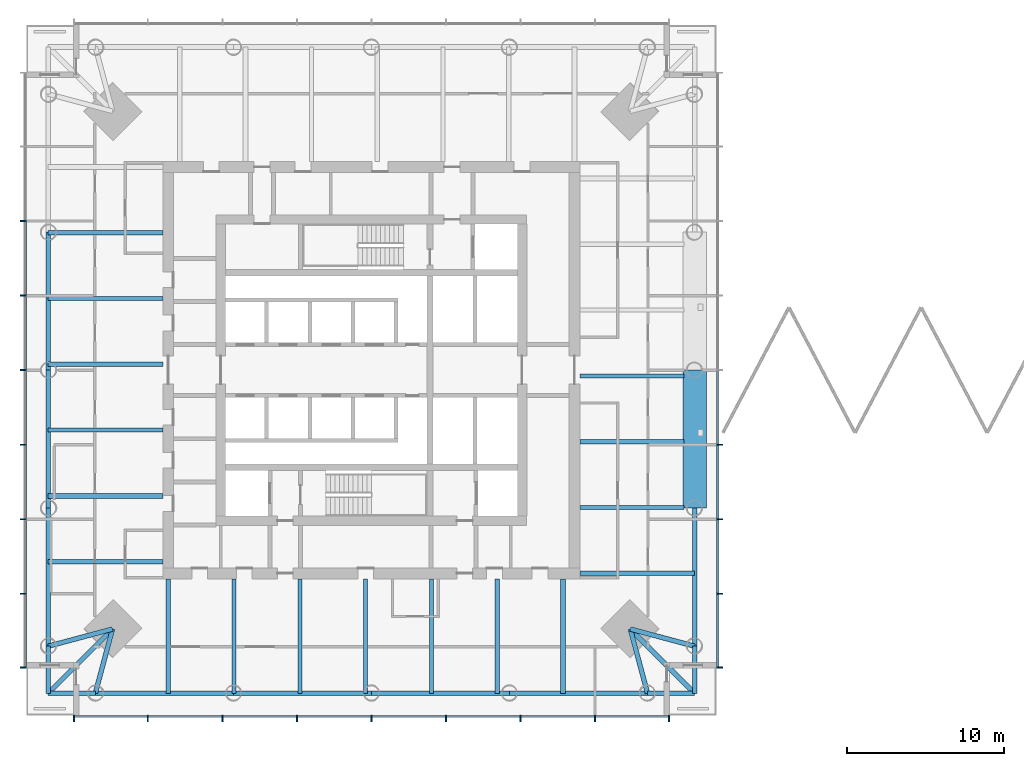
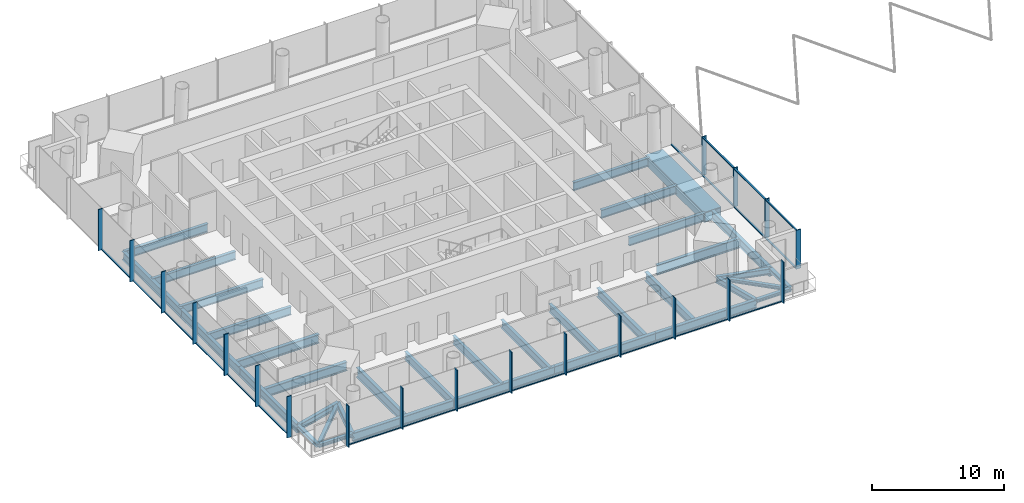
# One storey, part 2 of 19: 41 members, 36 beams, 3 elements without a shape of their own.
"""IFC4 building model written with IfcOpenShell, lengths in metres."""

from ifc_helpers import new_model, si_unit, direction, frame, origin, origin_2d, place, context, subcontext, project, spatial, rectangle, hollow_rectangle, i_section, extrude, material, material_profile, profile_set, type_object, element, aggregate, save


model = new_model("IFC4")

# Units and contexts
model_context = context("Model", 3, precision=1e-05, world=origin(), true_north=direction((0.0, 1.0)))
body_context = subcontext(model_context, "Body", "Model", "MODEL_VIEW")
ifc_project = project(units=[si_unit("LENGTHUNIT", "METRE"), si_unit("AREAUNIT", "SQUARE_METRE"), si_unit("VOLUMEUNIT", "CUBIC_METRE"), si_unit("PLANEANGLEUNIT", "RADIAN"), si_unit("MASSUNIT", "GRAM", prefix="KILO")], contexts=[model_context])

# Site, building, storey
site_placement = place(None, origin())
site = spatial("IfcSite", under=ifc_project, at=site_placement, CompositionType="ELEMENT")
building_placement = place(site_placement, origin())
building = spatial("IfcBuilding", under=site, at=building_placement, Name="Ostroluk Exchange", CompositionType="ELEMENT")
storey_placement = place(building_placement, frame((0.0, 0.0, 127.39990234375)))
storey = spatial("IfcBuildingStorey", under=building, at=storey_placement, Name="L32", CompositionType="ELEMENT", Elevation=127.39990234375)

# Beams
ifc_material_1 = material(Name="Steel S355", Category="steel")
ifc_material_profile_1 = material_profile(ifc_material_1, i_section(OverallWidth=0.300048828125, OverallDepth=0.300048828125, WebThickness=0.010986328125, FlangeThickness=0.01904296875, FilletRadius=0.027099609375, at=origin_2d()), Name="HEB 300")
ifc_profile_set_1 = profile_set([ifc_material_profile_1], Name="Steel S355")
beam_type_1 = type_object("IfcBeamType", Name="Balcony beam HEB 300", PredefinedType="BEAM", material=ifc_profile_set_1)
for number, where, z_axis, x_axis, name in (
    (1, (24.39990234375, 28.39990234375, -0.329833984375), (0.0, -1.0, 0.0), (1.0, 0.0, 0.0), "T1 west balcony beam a"),
    (2, (27.39990234375, 25.39990234375, -0.329833984375), (-1.0, 0.0, 0.0), (0.0, -1.0, 0.0), "T1 west balcony beam b"),
):
    element("IfcBeam", number, at=place(storey_placement, frame(where, z_axis=z_axis, x_axis=x_axis)), inside=storey, type_object=beam_type_1, Name=name, PredefinedType="BEAM", context=body_context, shape_type="SweptSolid", body=[
        extrude(i_section(OverallWidth=0.300048828125, OverallDepth=0.300048828125, WebThickness=0.010986328125, FlangeThickness=0.01904296875, FilletRadius=0.027099609375, at=origin_2d()), origin(), (0.0, 0.0, 1.0), 3.0),
    ])
beam_1_placement = place(storey_placement, frame((28.5, 29.5, -0.329833984375), z_axis=(-0.707106781187, -0.707106781187, 0.0), x_axis=(0.707106781187, -0.707106781187, 0.0)))
element("IfcBeam", 3, at=beam_1_placement, inside=storey, type_object=beam_type_1, Name="T1 west balcony beam c", PredefinedType="BEAM", context=body_context, shape_type="SweptSolid", body=[
    extrude(i_section(OverallWidth=0.300048828125, OverallDepth=0.300048828125, WebThickness=0.010986328125, FlangeThickness=0.01904296875, FilletRadius=0.027099609375, at=origin_2d()), origin(), (0.0, 0.0, 1.0), 5.79833984375),
])
for number, where, z_axis, x_axis, name in (
    (4, (62.60009765625, 25.39990234375, -0.329833984375), (1.0, 0.0, 0.0), (0.0, 1.0, 0.0), "T1 south balcony beam a"),
    (5, (65.60009765625, 28.39990234375, -0.329833984375), (0.0, -1.0, 0.0), (1.0, 0.0, 0.0), "T1 south balcony beam b"),
):
    element("IfcBeam", number, at=place(storey_placement, frame(where, z_axis=z_axis, x_axis=x_axis)), inside=storey, type_object=beam_type_1, Name=name, PredefinedType="BEAM", context=body_context, shape_type="SweptSolid", body=[
        extrude(i_section(OverallWidth=0.300048828125, OverallDepth=0.300048828125, WebThickness=0.010986328125, FlangeThickness=0.01904296875, FilletRadius=0.027099609375, at=origin_2d()), origin(), (0.0, 0.0, 1.0), 3.0),
    ])
beam_2_placement = place(storey_placement, frame((61.5, 29.5, -0.329833984375), z_axis=(0.707106781187, -0.707106781187, 0.0), x_axis=(0.707106781187, 0.707106781187, 0.0)))
element("IfcBeam", 6, at=beam_2_placement, inside=storey, type_object=beam_type_1, Name="T1 south balcony beam c", PredefinedType="BEAM", context=body_context, shape_type="SweptSolid", body=[
    extrude(i_section(OverallWidth=0.300048828125, OverallDepth=0.300048828125, WebThickness=0.010986328125, FlangeThickness=0.01904296875, FilletRadius=0.027099609375, at=origin_2d()), origin(), (0.0, 0.0, 1.0), 5.79833984375),
])
ifc_material_2 = material(Name="Steel S355", Category="steel")
ifc_material_profile_2 = material_profile(ifc_material_2, hollow_rectangle(XDim=1.5, YDim=0.949951171875, WallThickness=0.080078125, at=origin_2d()), Name="BOX 1500x950x80")
ifc_profile_set_2 = profile_set([ifc_material_profile_2], Name="Steel S355")
beam_type_2 = type_object("IfcBeamType", Name="Bridge landing beam BOX 1500x950x80", PredefinedType="BEAM", material=ifc_profile_set_2)
beam_3_placement = place(storey_placement, frame((65.60009765625, 37.199951171875, -0.65478515625), z_axis=(0.0, 1.0, 0.0), x_axis=(-1.0, 0.0, 0.0)))
element("IfcBeam", 7, at=beam_3_placement, inside=storey, type_object=beam_type_2, Name="BR2 landing beam west 1", PredefinedType="BEAM", context=body_context, shape_type="SweptSolid", body=[
    extrude(hollow_rectangle(XDim=1.5, YDim=0.949951171875, WallThickness=0.080078125, at=origin_2d()), origin(), (0.0, 0.0, 1.0), 8.800048828125),
])
ifc_material_3 = material(Name="Steel S355", Category="steel")
ifc_material_profile_3 = material_profile(ifc_material_3, i_section(OverallWidth=0.300048828125, OverallDepth=0.550048828125, WebThickness=0.014892578125, FlangeThickness=0.029052734375, FilletRadius=0.027099609375, at=origin_2d()), Name="HEB 550")
ifc_profile_set_3 = profile_set([ifc_material_profile_3], Name="Steel S355")
beam_type_3 = type_object("IfcBeamType", Name="Corner edge beam HEB 550", PredefinedType="SPANDREL", material=ifc_profile_set_3)
for number, where, z_axis, x_axis, name in (
    (8, (28.5, 29.5, -0.454833984375), (-0.965838624319, -0.259144268261, 0.0), (0.259144268261, -0.965838624319, 0.0), "T1 west corner edge beam a"),
    (9, (28.5, 29.5, -0.454833984375), (-0.259144268261, -0.965838624319, 0.0), (0.965838624319, -0.259144268261, 0.0), "T1 west corner edge beam b"),
    (10, (61.5, 29.5, -0.454833984375), (0.259144268261, -0.965838624319, 0.0), (0.965838624319, 0.259144268261, 0.0), "T1 south corner edge beam a"),
    (11, (61.5, 29.5, -0.454833984375), (0.965838624319, -0.259144268261, 0.0), (0.259144268261, 0.965838624319, 0.0), "T1 south corner edge beam b"),
):
    element("IfcBeam", number, at=place(storey_placement, frame(where, z_axis=z_axis, x_axis=x_axis)), inside=storey, type_object=beam_type_3, Name=name, PredefinedType="SPANDREL", context=body_context, shape_type="SweptSolid", body=[
        extrude(i_section(OverallWidth=0.300048828125, OverallDepth=0.550048828125, WebThickness=0.014892578125, FlangeThickness=0.029052734375, FilletRadius=0.027099609375, at=origin_2d()), origin(), (0.0, 0.0, 1.0), 4.2451171875),
    ])
ifc_material_4 = material(Name="Steel S355", Category="steel")
ifc_material_profile_4 = material_profile(ifc_material_4, i_section(OverallWidth=0.302978515625, OverallDepth=0.81396484375, WebThickness=0.02099609375, FlangeThickness=0.0400390625, FilletRadius=0.030029296875, at=origin_2d()), Name="HEM 800")
ifc_profile_set_4 = profile_set([ifc_material_profile_4], Name="Steel S355")
beam_type_4 = type_object("IfcBeamType", Name="Floor beam HEM 800", PredefinedType="BEAM", material=ifc_profile_set_4)
for number, where, z_axis, x_axis, name in (
    (12, (31.699951171875, 37.981201171875, -0.5869140625), (-1.0, 0.0, 0.0), (0.0, -1.0, 0.0), "T1 west floor beam 5"),
    (13, (31.699951171875, 33.78759765625, -0.5869140625), (-1.0, 0.0, 0.0), (0.0, -1.0, 0.0), "T1 west floor beam 6"),
    (14, (53.018798828125, 32.699951171875, -0.5869140625), (0.0, -1.0, 0.0), (1.0, 0.0, 0.0), "T1 south floor beam 5"),
    (15, (57.21240234375, 32.699951171875, -0.5869140625), (0.0, -1.0, 0.0), (1.0, 0.0, 0.0), "T1 south floor beam 6"),
):
    element("IfcBeam", number, at=place(storey_placement, frame(where, z_axis=z_axis, x_axis=x_axis)), inside=storey, type_object=beam_type_4, Name=name, PredefinedType="BEAM", context=body_context, shape_type="SweptSolid", body=[
        extrude(i_section(OverallWidth=0.302978515625, OverallDepth=0.81396484375, WebThickness=0.02099609375, FlangeThickness=0.0400390625, FilletRadius=0.030029296875, at=origin_2d()), origin(), (0.0, 0.0, 1.0), 7.300048828125),
    ])
ifc_material_5 = material(Name="Steel S355", Category="steel")
ifc_material_profile_5 = material_profile(ifc_material_5, i_section(OverallWidth=0.26708984375, OverallDepth=0.761962890625, WebThickness=0.014404296875, FlangeThickness=0.021484375, FilletRadius=0.01708984375, at=origin_2d()), Name="IPE 750x173")
ifc_profile_set_5 = profile_set([ifc_material_profile_5], Name="Steel S355")
beam_type_5 = type_object("IfcBeamType", Name="Floor beam IPE 750x173", PredefinedType="BEAM", material=ifc_profile_set_5)
for number, where, z_axis, x_axis, name in (
    (16, (58.300048828125, 37.24365234375, -0.560791015625), (1.0, 0.0, 0.0), (0.0, 1.0, 0.0), "T1 east floor beam 1"),
    (17, (58.300048828125, 41.4375, -0.560791015625), (1.0, 0.0, 0.0), (0.0, 1.0, 0.0), "T1 east floor beam 2"),
    (18, (58.300048828125, 45.63134765625, -0.560791015625), (1.0, 0.0, 0.0), (0.0, 1.0, 0.0), "T1 east floor beam 3"),
):
    element("IfcBeam", number, at=place(storey_placement, frame(where, z_axis=z_axis, x_axis=x_axis)), inside=storey, type_object=beam_type_5, Name=name, PredefinedType="BEAM", context=body_context, shape_type="SweptSolid", body=[
        extrude(i_section(OverallWidth=0.26708984375, OverallDepth=0.761962890625, WebThickness=0.014404296875, FlangeThickness=0.021484375, FilletRadius=0.01708984375, at=origin_2d()), origin(), (0.0, 0.0, 1.0), 6.6298828125),
    ])
for number, where, z_axis, x_axis, name in (
    (19, (31.699951171875, 54.75634765625, -0.560791015625), (-1.0, 0.0, 0.0), (0.0, -1.0, 0.0), "T1 west floor beam 1"),
    (20, (31.699951171875, 50.5625, -0.560791015625), (-1.0, 0.0, 0.0), (0.0, -1.0, 0.0), "T1 west floor beam 2"),
    (21, (31.699951171875, 46.36865234375, -0.560791015625), (-1.0, 0.0, 0.0), (0.0, -1.0, 0.0), "T1 west floor beam 3"),
    (22, (31.699951171875, 42.175048828125, -0.560791015625), (-1.0, 0.0, 0.0), (0.0, -1.0, 0.0), "T1 west floor beam 4"),
    (23, (36.24365234375, 32.699951171875, -0.560791015625), (0.0, -1.0, 0.0), (1.0, 0.0, 0.0), "T1 south floor beam 1"),
    (24, (40.4375, 32.699951171875, -0.560791015625), (0.0, -1.0, 0.0), (1.0, 0.0, 0.0), "T1 south floor beam 2"),
    (25, (44.63134765625, 32.699951171875, -0.560791015625), (0.0, -1.0, 0.0), (1.0, 0.0, 0.0), "T1 south floor beam 3"),
    (26, (48.824951171875, 32.699951171875, -0.560791015625), (0.0, -1.0, 0.0), (1.0, 0.0, 0.0), "T1 south floor beam 4"),
):
    element("IfcBeam", number, at=place(storey_placement, frame(where, z_axis=z_axis, x_axis=x_axis)), inside=storey, type_object=beam_type_5, Name=name, PredefinedType="BEAM", context=body_context, shape_type="SweptSolid", body=[
        extrude(i_section(OverallWidth=0.26708984375, OverallDepth=0.761962890625, WebThickness=0.014404296875, FlangeThickness=0.021484375, FilletRadius=0.01708984375, at=origin_2d()), origin(), (0.0, 0.0, 1.0), 7.300048828125),
    ])
ifc_material_6 = material(Name="Steel S355", Category="steel")
ifc_material_profile_6 = material_profile(ifc_material_6, i_section(OverallWidth=0.300048828125, OverallDepth=0.89990234375, WebThickness=0.0185546875, FlangeThickness=0.034912109375, FilletRadius=0.030029296875, at=origin_2d()), Name="HEB 900")
ifc_profile_set_6 = profile_set([ifc_material_profile_6], Name="Steel S355")
beam_type_6 = type_object("IfcBeamType", Name="Girder HEB 900", PredefinedType="BEAM", material=ifc_profile_set_6)
for number, where, z_axis, x_axis, name in (
    (27, (32.050048828125, 32.699951171875, -0.6298828125), (0.0, -1.0, 0.0), (1.0, 0.0, 0.0), "T1 west girder"),
    (28, (58.300048828125, 33.050048828125, -0.6298828125), (1.0, 0.0, 0.0), (0.0, 1.0, 0.0), "T1 south girder"),
):
    element("IfcBeam", number, at=place(storey_placement, frame(where, z_axis=z_axis, x_axis=x_axis)), inside=storey, type_object=beam_type_6, Name=name, PredefinedType="BEAM", context=body_context, shape_type="SweptSolid", body=[
        extrude(i_section(OverallWidth=0.300048828125, OverallDepth=0.89990234375, WebThickness=0.0185546875, FlangeThickness=0.034912109375, FilletRadius=0.030029296875, at=origin_2d()), origin(), (0.0, 0.0, 1.0), 7.300048828125),
    ])
ifc_material_7 = material(Name="Steel S355", Category="steel")
ifc_material_profile_7 = material_profile(ifc_material_7, i_section(OverallWidth=0.300048828125, OverallDepth=0.800048828125, WebThickness=0.017578125, FlangeThickness=0.032958984375, FilletRadius=0.030029296875, at=origin_2d()), Name="HEB 800")
ifc_profile_set_7 = profile_set([ifc_material_profile_7], Name="Steel S355")
beam_type_7 = type_object("IfcBeamType", Name="Moment-connected edge beam HEB 800", PredefinedType="SPANDREL", material=ifc_profile_set_7)
for number, where, z_axis, x_axis, name in (
    (29, (65.60009765625, 28.39990234375, -0.579833984375), (0.0, 1.0, 0.0), (-1.0, 0.0, 0.0), "T1 east edge beam 1"),
    (30, (24.39990234375, 54.800048828125, -0.579833984375), (0.0, -1.0, 0.0), (1.0, 0.0, 0.0), "T1 west edge beam 2"),
    (31, (24.39990234375, 46.0, -0.579833984375), (0.0, -1.0, 0.0), (1.0, 0.0, 0.0), "T1 west edge beam 3"),
    (32, (24.39990234375, 37.199951171875, -0.579833984375), (0.0, -1.0, 0.0), (1.0, 0.0, 0.0), "T1 west edge beam 4"),
    (33, (27.39990234375, 25.39990234375, -0.579833984375), (1.0, 0.0, 0.0), (0.0, 1.0, 0.0), "T1 south edge beam 1"),
    (34, (36.199951171875, 25.39990234375, -0.579833984375), (1.0, 0.0, 0.0), (0.0, 1.0, 0.0), "T1 south edge beam 2"),
    (35, (45.0, 25.39990234375, -0.579833984375), (1.0, 0.0, 0.0), (0.0, 1.0, 0.0), "T1 south edge beam 3"),
    (36, (53.800048828125, 25.39990234375, -0.579833984375), (1.0, 0.0, 0.0), (0.0, 1.0, 0.0), "T1 south edge beam 4"),
):
    element("IfcBeam", number, at=place(storey_placement, frame(where, z_axis=z_axis, x_axis=x_axis)), inside=storey, type_object=beam_type_7, Name=name, PredefinedType="SPANDREL", context=body_context, shape_type="SweptSolid", body=[
        extrude(i_section(OverallWidth=0.300048828125, OverallDepth=0.800048828125, WebThickness=0.017578125, FlangeThickness=0.032958984375, FilletRadius=0.030029296875, at=origin_2d()), origin(), (0.0, 0.0, 1.0), 8.800048828125),
    ])

# Curtain wall, members
ifc_material_8 = material(Name="Laminated clear glass", Category="glass")
curtain_wall_type = type_object("IfcCurtainWallType", Name="Office tower facade", PredefinedType="USERDEFINED", material=ifc_material_8)
curtain_wall_1_placement = place(storey_placement, origin())
curtain_wall_1 = element("IfcCurtainWall", 37, at=curtain_wall_1_placement, inside=storey, type_object=curtain_wall_type, Name="Office tower south facade L32", ObjectType="UNITISED CURTAIN WALL", PredefinedType="USERDEFINED")
ifc_material_9 = material(Name="Aluminium mullion", Category="aluminium")
ifc_material_profile_8 = material_profile(ifc_material_9, rectangle(XDim=0.14990234375, YDim=0.080078125, at=origin_2d()), Name="Sill transom 80 x 150")
ifc_profile_set_8 = profile_set([ifc_material_profile_8], Name="Aluminium mullion")
member_type_1 = type_object("IfcMemberType", Name="Sill transom 80 x 150", PredefinedType="USERDEFINED", material=ifc_profile_set_8)
member_1_placement = place(storey_placement, frame((26.080078125, 23.925048828125, 0.0400390625), z_axis=(1.0, 0.0, 0.0), x_axis=(0.0, 1.0, 0.0)))
member_1 = element("IfcMember", 38, at=member_1_placement, type_object=member_type_1, Name="CW-O1 transom 1.1", ObjectType="TRANSOM", PredefinedType="USERDEFINED", context=body_context, shape_type="SweptSolid", body=[
    extrude(rectangle(XDim=0.14990234375, YDim=0.080078125, at=origin_2d()), origin(), (0.0, 0.0, 1.0), 4.6298828125),
])
member_2_placement = place(storey_placement, frame((30.7900390625, 23.925048828125, 0.0400390625), z_axis=(1.0, 0.0, 0.0), x_axis=(0.0, 1.0, 0.0)))
member_2 = element("IfcMember", 39, at=member_2_placement, type_object=member_type_1, Name="CW-O1 transom 2.1", ObjectType="TRANSOM", PredefinedType="USERDEFINED", context=body_context, shape_type="SweptSolid", body=[
    extrude(rectangle(XDim=0.14990234375, YDim=0.080078125, at=origin_2d()), origin(), (0.0, 0.0, 1.0), 4.669921875),
])
member_3_placement = place(storey_placement, frame((35.5400390625, 23.925048828125, 0.0400390625), z_axis=(1.0, 0.0, 0.0), x_axis=(0.0, 1.0, 0.0)))
member_3 = element("IfcMember", 40, at=member_3_placement, type_object=member_type_1, Name="CW-O1 transom 3.1", ObjectType="TRANSOM", PredefinedType="USERDEFINED", context=body_context, shape_type="SweptSolid", body=[
    extrude(rectangle(XDim=0.14990234375, YDim=0.080078125, at=origin_2d()), origin(), (0.0, 0.0, 1.0), 4.669921875),
])
member_4_placement = place(storey_placement, frame((40.2900390625, 23.925048828125, 0.0400390625), z_axis=(1.0, 0.0, 0.0), x_axis=(0.0, 1.0, 0.0)))
member_4 = element("IfcMember", 41, at=member_4_placement, type_object=member_type_1, Name="CW-O1 transom 4.1", ObjectType="TRANSOM", PredefinedType="USERDEFINED", context=body_context, shape_type="SweptSolid", body=[
    extrude(rectangle(XDim=0.14990234375, YDim=0.080078125, at=origin_2d()), origin(), (0.0, 0.0, 1.0), 4.669921875),
])
member_5_placement = place(storey_placement, frame((45.0400390625, 23.925048828125, 0.0400390625), z_axis=(1.0, 0.0, 0.0), x_axis=(0.0, 1.0, 0.0)))
member_5 = element("IfcMember", 42, at=member_5_placement, type_object=member_type_1, Name="CW-O1 transom 5.1", ObjectType="TRANSOM", PredefinedType="USERDEFINED", context=body_context, shape_type="SweptSolid", body=[
    extrude(rectangle(XDim=0.14990234375, YDim=0.080078125, at=origin_2d()), origin(), (0.0, 0.0, 1.0), 4.669921875),
])
member_6_placement = place(storey_placement, frame((49.7900390625, 23.925048828125, 0.0400390625), z_axis=(1.0, 0.0, 0.0), x_axis=(0.0, 1.0, 0.0)))
member_6 = element("IfcMember", 43, at=member_6_placement, type_object=member_type_1, Name="CW-O1 transom 6.1", ObjectType="TRANSOM", PredefinedType="USERDEFINED", context=body_context, shape_type="SweptSolid", body=[
    extrude(rectangle(XDim=0.14990234375, YDim=0.080078125, at=origin_2d()), origin(), (0.0, 0.0, 1.0), 4.669921875),
])
member_7_placement = place(storey_placement, frame((54.5400390625, 23.925048828125, 0.0400390625), z_axis=(1.0, 0.0, 0.0), x_axis=(0.0, 1.0, 0.0)))
member_7 = element("IfcMember", 44, at=member_7_placement, type_object=member_type_1, Name="CW-O1 transom 7.1", ObjectType="TRANSOM", PredefinedType="USERDEFINED", context=body_context, shape_type="SweptSolid", body=[
    extrude(rectangle(XDim=0.14990234375, YDim=0.080078125, at=origin_2d()), origin(), (0.0, 0.0, 1.0), 4.669921875),
])
member_8_placement = place(storey_placement, frame((59.2900390625, 23.925048828125, 0.0400390625), z_axis=(1.0, 0.0, 0.0), x_axis=(0.0, 1.0, 0.0)))
member_8 = element("IfcMember", 45, at=member_8_placement, type_object=member_type_1, Name="CW-O1 transom 8.1", ObjectType="TRANSOM", PredefinedType="USERDEFINED", context=body_context, shape_type="SweptSolid", body=[
    extrude(rectangle(XDim=0.14990234375, YDim=0.080078125, at=origin_2d()), origin(), (0.0, 0.0, 1.0), 4.6298828125),
])

curtain_wall_2_placement = place(storey_placement, origin())
curtain_wall_2 = element("IfcCurtainWall", 46, at=curtain_wall_2_placement, inside=storey, type_object=curtain_wall_type, Name="Office tower east facade L32", ObjectType="UNITISED CURTAIN WALL", PredefinedType="USERDEFINED")
member_9_placement = place(storey_placement, frame((67.074951171875, 27.080078125, 0.0400390625), z_axis=(0.0, 1.0, 0.0), x_axis=(-1.0, 0.0, 0.0)))
member_9 = element("IfcMember", 47, at=member_9_placement, type_object=member_type_1, Name="CW-O1 transom 1.1", ObjectType="TRANSOM", PredefinedType="USERDEFINED", context=body_context, shape_type="SweptSolid", body=[
    extrude(rectangle(XDim=0.14990234375, YDim=0.080078125, at=origin_2d()), origin(), (0.0, 0.0, 1.0), 4.6298828125),
])
member_10_placement = place(storey_placement, frame((67.074951171875, 27.080078125, 3.56005859375), z_axis=(0.0, 1.0, 0.0), x_axis=(-1.0, 0.0, 0.0)))
member_10 = element("IfcMember", 48, at=member_10_placement, type_object=member_type_1, Name="CW-O1 transom 1.2", ObjectType="TRANSOM", PredefinedType="USERDEFINED", context=body_context, shape_type="SweptSolid", body=[
    extrude(rectangle(XDim=0.14990234375, YDim=0.080078125, at=origin_2d()), origin(), (0.0, 0.0, 1.0), 4.6298828125),
])
member_11_placement = place(storey_placement, frame((67.074951171875, 31.7900390625, 0.0400390625), z_axis=(0.0, 1.0, 0.0), x_axis=(-1.0, 0.0, 0.0)))
member_11 = element("IfcMember", 49, at=member_11_placement, type_object=member_type_1, Name="CW-O1 transom 2.1", ObjectType="TRANSOM", PredefinedType="USERDEFINED", context=body_context, shape_type="SweptSolid", body=[
    extrude(rectangle(XDim=0.14990234375, YDim=0.080078125, at=origin_2d()), origin(), (0.0, 0.0, 1.0), 4.669921875),
])
member_12_placement = place(storey_placement, frame((67.074951171875, 31.7900390625, 3.56005859375), z_axis=(0.0, 1.0, 0.0), x_axis=(-1.0, 0.0, 0.0)))
member_12 = element("IfcMember", 50, at=member_12_placement, type_object=member_type_1, Name="CW-O1 transom 2.2", ObjectType="TRANSOM", PredefinedType="USERDEFINED", context=body_context, shape_type="SweptSolid", body=[
    extrude(rectangle(XDim=0.14990234375, YDim=0.080078125, at=origin_2d()), origin(), (0.0, 0.0, 1.0), 4.669921875),
])
member_13_placement = place(storey_placement, frame((67.074951171875, 36.5400390625, 0.0400390625), z_axis=(0.0, 1.0, 0.0), x_axis=(-1.0, 0.0, 0.0)))
member_13 = element("IfcMember", 51, at=member_13_placement, type_object=member_type_1, Name="CW-O1 transom 3.1", ObjectType="TRANSOM", PredefinedType="USERDEFINED", context=body_context, shape_type="SweptSolid", body=[
    extrude(rectangle(XDim=0.14990234375, YDim=0.080078125, at=origin_2d()), origin(), (0.0, 0.0, 1.0), 4.669921875),
])
member_14_placement = place(storey_placement, frame((67.074951171875, 36.5400390625, 3.56005859375), z_axis=(0.0, 1.0, 0.0), x_axis=(-1.0, 0.0, 0.0)))
member_14 = element("IfcMember", 52, at=member_14_placement, type_object=member_type_1, Name="CW-O1 transom 3.2", ObjectType="TRANSOM", PredefinedType="USERDEFINED", context=body_context, shape_type="SweptSolid", body=[
    extrude(rectangle(XDim=0.14990234375, YDim=0.080078125, at=origin_2d()), origin(), (0.0, 0.0, 1.0), 4.669921875),
])
member_15_placement = place(storey_placement, frame((67.074951171875, 41.2900390625, 0.0400390625), z_axis=(0.0, 1.0, 0.0), x_axis=(-1.0, 0.0, 0.0)))
member_15 = element("IfcMember", 53, at=member_15_placement, type_object=member_type_1, Name="CW-O1 transom 4.1", ObjectType="TRANSOM", PredefinedType="USERDEFINED", context=body_context, shape_type="SweptSolid", body=[
    extrude(rectangle(XDim=0.14990234375, YDim=0.080078125, at=origin_2d()), origin(), (0.0, 0.0, 1.0), 4.669921875),
])

curtain_wall_3_placement = place(storey_placement, origin())
curtain_wall_3 = element("IfcCurtainWall", 54, at=curtain_wall_3_placement, inside=storey, type_object=curtain_wall_type, Name="Office tower west facade L32", ObjectType="UNITISED CURTAIN WALL", PredefinedType="USERDEFINED")
member_16_placement = place(storey_placement, frame((22.925048828125, 55.4599609375, 0.0400390625), z_axis=(0.0, -1.0, 0.0), x_axis=(1.0, 0.0, 0.0)))
member_16 = element("IfcMember", 55, at=member_16_placement, type_object=member_type_1, Name="CW-O1 transom 3.1", ObjectType="TRANSOM", PredefinedType="USERDEFINED", context=body_context, shape_type="SweptSolid", body=[
    extrude(rectangle(XDim=0.14990234375, YDim=0.080078125, at=origin_2d()), origin(), (0.0, 0.0, 1.0), 4.669921875),
])
member_17_placement = place(storey_placement, frame((22.925048828125, 50.7099609375, 0.0400390625), z_axis=(0.0, -1.0, 0.0), x_axis=(1.0, 0.0, 0.0)))
member_17 = element("IfcMember", 56, at=member_17_placement, type_object=member_type_1, Name="CW-O1 transom 4.1", ObjectType="TRANSOM", PredefinedType="USERDEFINED", context=body_context, shape_type="SweptSolid", body=[
    extrude(rectangle(XDim=0.14990234375, YDim=0.080078125, at=origin_2d()), origin(), (0.0, 0.0, 1.0), 4.669921875),
])
member_18_placement = place(storey_placement, frame((22.925048828125, 45.9599609375, 0.0400390625), z_axis=(0.0, -1.0, 0.0), x_axis=(1.0, 0.0, 0.0)))
member_18 = element("IfcMember", 57, at=member_18_placement, type_object=member_type_1, Name="CW-O1 transom 5.1", ObjectType="TRANSOM", PredefinedType="USERDEFINED", context=body_context, shape_type="SweptSolid", body=[
    extrude(rectangle(XDim=0.14990234375, YDim=0.080078125, at=origin_2d()), origin(), (0.0, 0.0, 1.0), 4.669921875),
])
member_19_placement = place(storey_placement, frame((22.925048828125, 41.2099609375, 0.0400390625), z_axis=(0.0, -1.0, 0.0), x_axis=(1.0, 0.0, 0.0)))
member_19 = element("IfcMember", 58, at=member_19_placement, type_object=member_type_1, Name="CW-O1 transom 6.1", ObjectType="TRANSOM", PredefinedType="USERDEFINED", context=body_context, shape_type="SweptSolid", body=[
    extrude(rectangle(XDim=0.14990234375, YDim=0.080078125, at=origin_2d()), origin(), (0.0, 0.0, 1.0), 4.669921875),
])
member_20_placement = place(storey_placement, frame((22.925048828125, 36.4599609375, 0.0400390625), z_axis=(0.0, -1.0, 0.0), x_axis=(1.0, 0.0, 0.0)))
member_20 = element("IfcMember", 59, at=member_20_placement, type_object=member_type_1, Name="CW-O1 transom 7.1", ObjectType="TRANSOM", PredefinedType="USERDEFINED", context=body_context, shape_type="SweptSolid", body=[
    extrude(rectangle(XDim=0.14990234375, YDim=0.080078125, at=origin_2d()), origin(), (0.0, 0.0, 1.0), 4.669921875),
])
member_21_placement = place(storey_placement, frame((22.925048828125, 31.7099609375, 0.0400390625), z_axis=(0.0, -1.0, 0.0), x_axis=(1.0, 0.0, 0.0)))
member_21 = element("IfcMember", 60, at=member_21_placement, type_object=member_type_1, Name="CW-O1 transom 8.1", ObjectType="TRANSOM", PredefinedType="USERDEFINED", context=body_context, shape_type="SweptSolid", body=[
    extrude(rectangle(XDim=0.14990234375, YDim=0.080078125, at=origin_2d()), origin(), (0.0, 0.0, 1.0), 4.6298828125),
])

# Member
ifc_material_10 = material(Name="Aluminium mullion with limestone facing", Category="masonry")
ifc_material_profile_9 = material_profile(ifc_material_10, rectangle(XDim=0.39990234375, YDim=0.080078125, at=origin_2d()), Name="Tracery mullion 80 x 400")
ifc_profile_set_9 = profile_set([ifc_material_profile_9], Name="Aluminium mullion with limestone facing")
member_type_2 = type_object("IfcMemberType", Name="Tracery mullion 80 x 400", PredefinedType="MULLION", material=ifc_profile_set_9)
member_22_placement = place(storey_placement, frame((26.0400390625, 23.800048828125, 0.0), z_axis=(0.0, 0.0, 1.0), x_axis=(0.0, 1.0, 0.0)))
member_22 = element("IfcMember", 61, at=member_22_placement, type_object=member_type_2, Name="CW-O1 mullion 1", PredefinedType="MULLION", context=body_context, shape_type="SweptSolid", body=[
    extrude(rectangle(XDim=0.39990234375, YDim=0.080078125, at=origin_2d()), origin(), (0.0, 0.0, 1.0), 3.800048828125),
])

member_23_placement = place(storey_placement, frame((30.75, 23.800048828125, 0.0), z_axis=(0.0, 0.0, 1.0), x_axis=(0.0, 1.0, 0.0)))
member_23 = element("IfcMember", 62, at=member_23_placement, type_object=member_type_2, Name="CW-O1 mullion 2", PredefinedType="MULLION", context=body_context, shape_type="SweptSolid", body=[
    extrude(rectangle(XDim=0.39990234375, YDim=0.080078125, at=origin_2d()), origin(), (0.0, 0.0, 1.0), 3.800048828125),
])

member_24_placement = place(storey_placement, frame((35.5, 23.800048828125, 0.0), z_axis=(0.0, 0.0, 1.0), x_axis=(0.0, 1.0, 0.0)))
member_24 = element("IfcMember", 63, at=member_24_placement, type_object=member_type_2, Name="CW-O1 mullion 3", PredefinedType="MULLION", context=body_context, shape_type="SweptSolid", body=[
    extrude(rectangle(XDim=0.39990234375, YDim=0.080078125, at=origin_2d()), origin(), (0.0, 0.0, 1.0), 3.800048828125),
])

member_25_placement = place(storey_placement, frame((40.25, 23.800048828125, 0.0), z_axis=(0.0, 0.0, 1.0), x_axis=(0.0, 1.0, 0.0)))
member_25 = element("IfcMember", 64, at=member_25_placement, type_object=member_type_2, Name="CW-O1 mullion 4", PredefinedType="MULLION", context=body_context, shape_type="SweptSolid", body=[
    extrude(rectangle(XDim=0.39990234375, YDim=0.080078125, at=origin_2d()), origin(), (0.0, 0.0, 1.0), 3.800048828125),
])

member_26_placement = place(storey_placement, frame((45.0, 23.800048828125, 0.0), z_axis=(0.0, 0.0, 1.0), x_axis=(0.0, 1.0, 0.0)))
member_26 = element("IfcMember", 65, at=member_26_placement, type_object=member_type_2, Name="CW-O1 mullion 5", PredefinedType="MULLION", context=body_context, shape_type="SweptSolid", body=[
    extrude(rectangle(XDim=0.39990234375, YDim=0.080078125, at=origin_2d()), origin(), (0.0, 0.0, 1.0), 3.800048828125),
])

member_27_placement = place(storey_placement, frame((49.75, 23.800048828125, 0.0), z_axis=(0.0, 0.0, 1.0), x_axis=(0.0, 1.0, 0.0)))
member_27 = element("IfcMember", 66, at=member_27_placement, type_object=member_type_2, Name="CW-O1 mullion 6", PredefinedType="MULLION", context=body_context, shape_type="SweptSolid", body=[
    extrude(rectangle(XDim=0.39990234375, YDim=0.080078125, at=origin_2d()), origin(), (0.0, 0.0, 1.0), 3.800048828125),
])

member_28_placement = place(storey_placement, frame((54.5, 23.800048828125, 0.0), z_axis=(0.0, 0.0, 1.0), x_axis=(0.0, 1.0, 0.0)))
member_28 = element("IfcMember", 67, at=member_28_placement, type_object=member_type_2, Name="CW-O1 mullion 7", PredefinedType="MULLION", context=body_context, shape_type="SweptSolid", body=[
    extrude(rectangle(XDim=0.39990234375, YDim=0.080078125, at=origin_2d()), origin(), (0.0, 0.0, 1.0), 3.800048828125),
])

member_29_placement = place(storey_placement, frame((59.25, 23.800048828125, 0.0), z_axis=(0.0, 0.0, 1.0), x_axis=(0.0, 1.0, 0.0)))
member_29 = element("IfcMember", 68, at=member_29_placement, type_object=member_type_2, Name="CW-O1 mullion 8", PredefinedType="MULLION", context=body_context, shape_type="SweptSolid", body=[
    extrude(rectangle(XDim=0.39990234375, YDim=0.080078125, at=origin_2d()), origin(), (0.0, 0.0, 1.0), 3.800048828125),
])

member_30_placement = place(storey_placement, frame((63.9599609375, 23.800048828125, 0.0), z_axis=(0.0, 0.0, 1.0), x_axis=(0.0, 1.0, 0.0)))
member_30 = element("IfcMember", 69, at=member_30_placement, type_object=member_type_2, Name="CW-O1 mullion 9", PredefinedType="MULLION", context=body_context, shape_type="SweptSolid", body=[
    extrude(rectangle(XDim=0.39990234375, YDim=0.080078125, at=origin_2d()), origin(), (0.0, 0.0, 1.0), 3.800048828125),
])

aggregate(curtain_wall_1, [member_22, member_23, member_24, member_25, member_26, member_27, member_28, member_29, member_30, member_1, member_2, member_3, member_4, member_5, member_6, member_7, member_8])

member_31_placement = place(storey_placement, frame((67.199951171875, 27.0400390625, 0.0), z_axis=(0.0, 0.0, 1.0), x_axis=(-1.0, 0.0, 0.0)))
member_31 = element("IfcMember", 70, at=member_31_placement, type_object=member_type_2, Name="CW-O1 mullion 1", PredefinedType="MULLION", context=body_context, shape_type="SweptSolid", body=[
    extrude(rectangle(XDim=0.39990234375, YDim=0.080078125, at=origin_2d()), origin(), (0.0, 0.0, 1.0), 3.60009765625),
])

member_32_placement = place(storey_placement, frame((67.199951171875, 31.75, 0.0), z_axis=(0.0, 0.0, 1.0), x_axis=(-1.0, 0.0, 0.0)))
member_32 = element("IfcMember", 71, at=member_32_placement, type_object=member_type_2, Name="CW-O1 mullion 2", PredefinedType="MULLION", context=body_context, shape_type="SweptSolid", body=[
    extrude(rectangle(XDim=0.39990234375, YDim=0.080078125, at=origin_2d()), origin(), (0.0, 0.0, 1.0), 3.60009765625),
])

member_33_placement = place(storey_placement, frame((67.199951171875, 36.5, 0.0), z_axis=(0.0, 0.0, 1.0), x_axis=(-1.0, 0.0, 0.0)))
member_33 = element("IfcMember", 72, at=member_33_placement, type_object=member_type_2, Name="CW-O1 mullion 3", PredefinedType="MULLION", context=body_context, shape_type="SweptSolid", body=[
    extrude(rectangle(XDim=0.39990234375, YDim=0.080078125, at=origin_2d()), origin(), (0.0, 0.0, 1.0), 3.60009765625),
])

member_34_placement = place(storey_placement, frame((67.199951171875, 41.25, 0.0), z_axis=(0.0, 0.0, 1.0), x_axis=(-1.0, 0.0, 0.0)))
member_34 = element("IfcMember", 73, at=member_34_placement, type_object=member_type_2, Name="CW-O1 mullion 4", PredefinedType="MULLION", context=body_context, shape_type="SweptSolid", body=[
    extrude(rectangle(XDim=0.39990234375, YDim=0.080078125, at=origin_2d()), origin(), (0.0, 0.0, 1.0), 3.60009765625),
])

aggregate(curtain_wall_2, [member_31, member_32, member_33, member_34, member_9, member_10, member_11, member_12, member_13, member_14, member_15])

member_35_placement = place(storey_placement, frame((22.800048828125, 55.5, 0.0), z_axis=(0.0, 0.0, 1.0), x_axis=(1.0, 0.0, 0.0)))
member_35 = element("IfcMember", 74, at=member_35_placement, type_object=member_type_2, Name="CW-O1 mullion 3", PredefinedType="MULLION", context=body_context, shape_type="SweptSolid", body=[
    extrude(rectangle(XDim=0.39990234375, YDim=0.080078125, at=origin_2d()), origin(), (0.0, 0.0, 1.0), 3.800048828125),
])

member_36_placement = place(storey_placement, frame((22.800048828125, 50.75, 0.0), z_axis=(0.0, 0.0, 1.0), x_axis=(1.0, 0.0, 0.0)))
member_36 = element("IfcMember", 75, at=member_36_placement, type_object=member_type_2, Name="CW-O1 mullion 4", PredefinedType="MULLION", context=body_context, shape_type="SweptSolid", body=[
    extrude(rectangle(XDim=0.39990234375, YDim=0.080078125, at=origin_2d()), origin(), (0.0, 0.0, 1.0), 3.800048828125),
])

member_37_placement = place(storey_placement, frame((22.800048828125, 46.0, 0.0), z_axis=(0.0, 0.0, 1.0), x_axis=(1.0, 0.0, 0.0)))
member_37 = element("IfcMember", 76, at=member_37_placement, type_object=member_type_2, Name="CW-O1 mullion 5", PredefinedType="MULLION", context=body_context, shape_type="SweptSolid", body=[
    extrude(rectangle(XDim=0.39990234375, YDim=0.080078125, at=origin_2d()), origin(), (0.0, 0.0, 1.0), 3.800048828125),
])

member_38_placement = place(storey_placement, frame((22.800048828125, 41.25, 0.0), z_axis=(0.0, 0.0, 1.0), x_axis=(1.0, 0.0, 0.0)))
member_38 = element("IfcMember", 77, at=member_38_placement, type_object=member_type_2, Name="CW-O1 mullion 6", PredefinedType="MULLION", context=body_context, shape_type="SweptSolid", body=[
    extrude(rectangle(XDim=0.39990234375, YDim=0.080078125, at=origin_2d()), origin(), (0.0, 0.0, 1.0), 3.800048828125),
])

member_39_placement = place(storey_placement, frame((22.800048828125, 36.5, 0.0), z_axis=(0.0, 0.0, 1.0), x_axis=(1.0, 0.0, 0.0)))
member_39 = element("IfcMember", 78, at=member_39_placement, type_object=member_type_2, Name="CW-O1 mullion 7", PredefinedType="MULLION", context=body_context, shape_type="SweptSolid", body=[
    extrude(rectangle(XDim=0.39990234375, YDim=0.080078125, at=origin_2d()), origin(), (0.0, 0.0, 1.0), 3.800048828125),
])

member_40_placement = place(storey_placement, frame((22.800048828125, 31.75, 0.0), z_axis=(0.0, 0.0, 1.0), x_axis=(1.0, 0.0, 0.0)))
member_40 = element("IfcMember", 79, at=member_40_placement, type_object=member_type_2, Name="CW-O1 mullion 8", PredefinedType="MULLION", context=body_context, shape_type="SweptSolid", body=[
    extrude(rectangle(XDim=0.39990234375, YDim=0.080078125, at=origin_2d()), origin(), (0.0, 0.0, 1.0), 3.800048828125),
])

member_41_placement = place(storey_placement, frame((22.800048828125, 27.0400390625, 0.0), z_axis=(0.0, 0.0, 1.0), x_axis=(1.0, 0.0, 0.0)))
member_41 = element("IfcMember", 80, at=member_41_placement, type_object=member_type_2, Name="CW-O1 mullion 9", PredefinedType="MULLION", context=body_context, shape_type="SweptSolid", body=[
    extrude(rectangle(XDim=0.39990234375, YDim=0.080078125, at=origin_2d()), origin(), (0.0, 0.0, 1.0), 3.800048828125),
])

aggregate(curtain_wall_3, [member_35, member_36, member_37, member_38, member_39, member_40, member_41, member_16, member_17, member_18, member_19, member_20, member_21])

save(model, "model.ifc")
